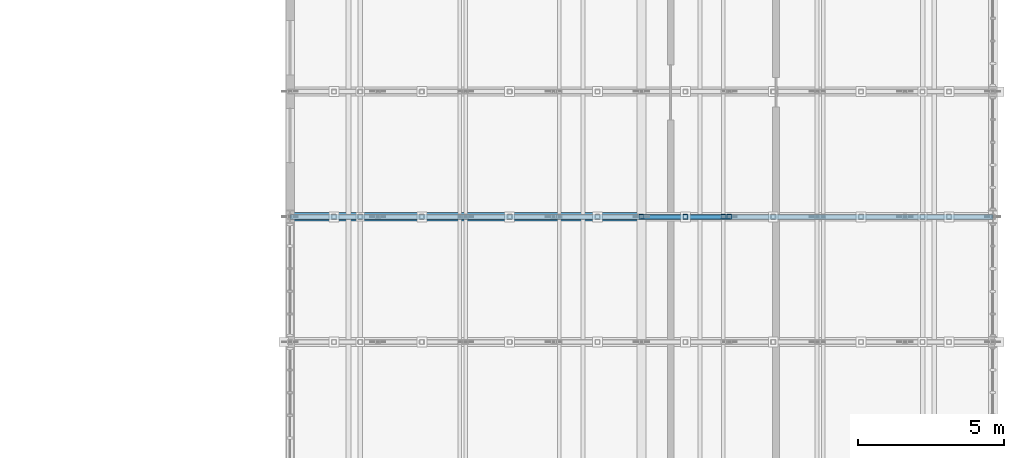
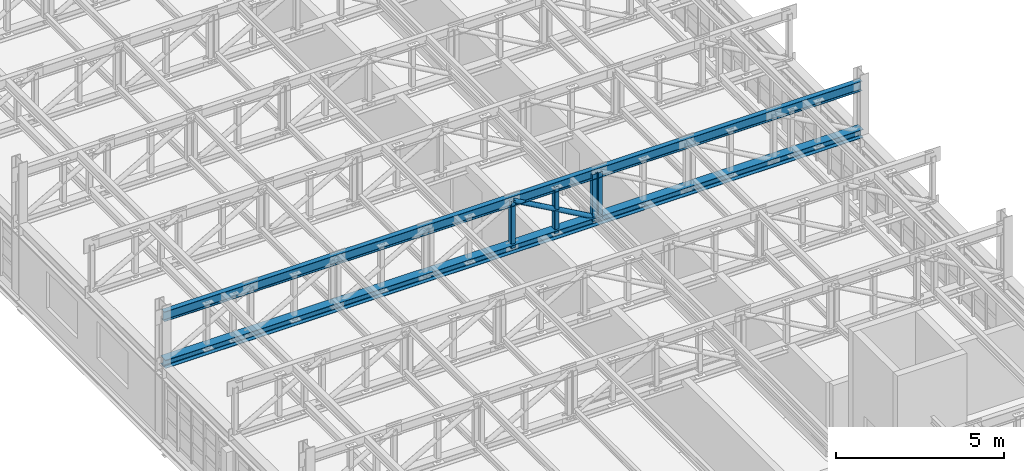
# One storey, part 40 of 128: 7 members.
"""IFC4 building model written with IfcOpenShell, lengths in metres."""

from ifc_helpers import new_model, si_unit, direction, frame, origin, origin_2d, place, context, subcontext, project, spatial, hollow_rectangle, hollow_circle, i_section, extrude, material, material_profile, profile_set, type_object, element, save


model = new_model("IFC4")

# Units and contexts
model_context = context("Model", 3, precision=1e-05, world=origin(), true_north=direction((0.0, 1.0)))
body_context = subcontext(model_context, "Body", "Model", "MODEL_VIEW")
ifc_project = project(units=[si_unit("LENGTHUNIT", "METRE"), si_unit("AREAUNIT", "SQUARE_METRE"), si_unit("VOLUMEUNIT", "CUBIC_METRE"), si_unit("PLANEANGLEUNIT", "RADIAN"), si_unit("MASSUNIT", "GRAM", prefix="KILO")], contexts=[model_context])

# Site, building, storey
site_placement = place(None, origin())
site = spatial("IfcSite", under=ifc_project, at=site_placement, CompositionType="ELEMENT")
building_placement = place(site_placement, origin())
building = spatial("IfcBuilding", under=site, at=building_placement, Name="Serraforn Aerial Cableway Station", CompositionType="ELEMENT")
storey_placement = place(building_placement, frame((0.0, 0.0, 9.0)))
storey = spatial("IfcBuildingStorey", under=building, at=storey_placement, Name="L02", CompositionType="ELEMENT", Elevation=9.0)

# Members
ifc_material = material(Name="Steel S355J2", Category="steel")
ifc_material_profile_1 = material_profile(ifc_material, i_section(OverallWidth=0.300048828125, OverallDepth=0.300048828125, WebThickness=0.008544921875, FlangeThickness=0.013916015625, FilletRadius=0.027099609375, at=origin_2d()), Name="HEA 300")
ifc_profile_set_1 = profile_set([ifc_material_profile_1], Name="Steel S355J2")
member_type_1 = type_object("IfcMemberType", Name="MEM-BC-HEA300", PredefinedType="CHORD", material=ifc_profile_set_1)
member_1_placement = place(storey_placement, frame((144.0, 71.25, 2.60009765625), z_axis=(1.0, 0.0, 0.0), x_axis=(0.0, 1.0, 0.0)))
element("IfcMember", 1, at=member_1_placement, inside=storey, type_object=member_type_1, Name="Garage Truss GT-05 Bottom Chord", PredefinedType="CHORD", context=body_context, shape_type="SweptSolid", body=[
    extrude(i_section(OverallWidth=0.300048828125, OverallDepth=0.300048828125, WebThickness=0.008544921875, FlangeThickness=0.013916015625, FilletRadius=0.027099609375, at=origin_2d()), origin(), (0.0, 0.0, 1.0), 24.0),
])
ifc_material_profile_2 = material_profile(ifc_material, hollow_circle(Radius=0.084228515625, WallThickness=0.008056640625, at=origin_2d()), Name="CHS 168.3x8.0")
ifc_profile_set_2 = profile_set([ifc_material_profile_2], Name="Steel S355J2")
member_type_2 = type_object("IfcMemberType", Name="MEM-DG-CHS168", PredefinedType="BRACE", material=ifc_profile_set_2)
member_2_placement = place(storey_placement, frame((156.0, 71.25, 4.2900390625), z_axis=(0.871272396707, 0.0, -0.490799766439), x_axis=(0.0, 1.0, 0.0)))
element("IfcMember", 2, at=member_2_placement, inside=storey, type_object=member_type_2, Name="Garage Truss GT-05 Diagonal 5", PredefinedType="BRACE", context=body_context, shape_type="SweptSolid", body=[
    extrude(hollow_circle(Radius=0.084228515625, WallThickness=0.008056640625, at=origin_2d()), origin(), (0.0, 0.0, 1.0), 3.443359375),
])
ifc_material_profile_3 = material_profile(ifc_material, i_section(OverallWidth=0.169921875, OverallDepth=0.360107421875, WebThickness=0.008056640625, FlangeThickness=0.0126953125, FilletRadius=0.01806640625, at=origin_2d()), Name="IPE 360")
ifc_profile_set_3 = profile_set([ifc_material_profile_3], Name="Steel S355J2")
member_type_3 = type_object("IfcMemberType", Name="MEM-TC-IPE360", PredefinedType="CHORD", material=ifc_profile_set_3)
member_3_placement = place(storey_placement, frame((144.0, 71.25, 4.2900390625), z_axis=(1.0, 0.0, 0.0), x_axis=(0.0, 1.0, 0.0)))
element("IfcMember", 3, at=member_3_placement, inside=storey, type_object=member_type_3, Name="Garage Truss GT-05 Top Chord", PredefinedType="CHORD", context=body_context, shape_type="SweptSolid", body=[
    extrude(i_section(OverallWidth=0.169921875, OverallDepth=0.360107421875, WebThickness=0.008056640625, FlangeThickness=0.0126953125, FilletRadius=0.01806640625, at=origin_2d()), origin(), (0.0, 0.0, 1.0), 24.0),
])
ifc_material_profile_4 = material_profile(ifc_material, hollow_rectangle(XDim=0.159912109375, YDim=0.159912109375, WallThickness=0.008056640625, InnerFilletRadius=0.008056640625, OuterFilletRadius=0.01611328125, at=origin_2d()), Name="SHS 160x160x8.0")
ifc_profile_set_4 = profile_set([ifc_material_profile_4], Name="Steel S355J2")
member_type_4 = type_object("IfcMemberType", Name="MEM-VP-SHS160", PredefinedType="STRUT", material=ifc_profile_set_4)
for number, where, z_axis, x_axis, name in (
    (4, (156.0, 71.25, 2.590087890625), (0.0, 0.0, 1.0), (1.0, 0.0, 0.0), "Garage Truss GT-05 Post 5"),
    (5, (159.0, 71.25, 2.590087890625), (0.0, 0.0, 1.0), (1.0, 0.0, 0.0), "Garage Truss GT-05 Post 6"),
    (6, (158.800048828125, 71.25, 2.590087890625), (0.0, 0.0, 1.0), (1.0, 0.0, 0.0), "Overhead Rail Suspension Post 022"),
    (7, (157.5, 71.25, 2.590087890625), (0.0, 0.0, 1.0), (1.0, 0.0, 0.0), "Garage Truss GT-05 Sub-Vertical 5"),
):
    element("IfcMember", number, at=place(storey_placement, frame(where, z_axis=z_axis, x_axis=x_axis)), inside=storey, type_object=member_type_4, Name=name, PredefinedType="STRUT", context=body_context, shape_type="SweptSolid", body=[
        extrude(hollow_rectangle(XDim=0.159912109375, YDim=0.159912109375, WallThickness=0.008056640625, InnerFilletRadius=0.008056640625, OuterFilletRadius=0.01611328125, at=origin_2d()), origin(), (0.0, 0.0, 1.0), 1.7099609375),
    ])

save(model, "model.ifc")
